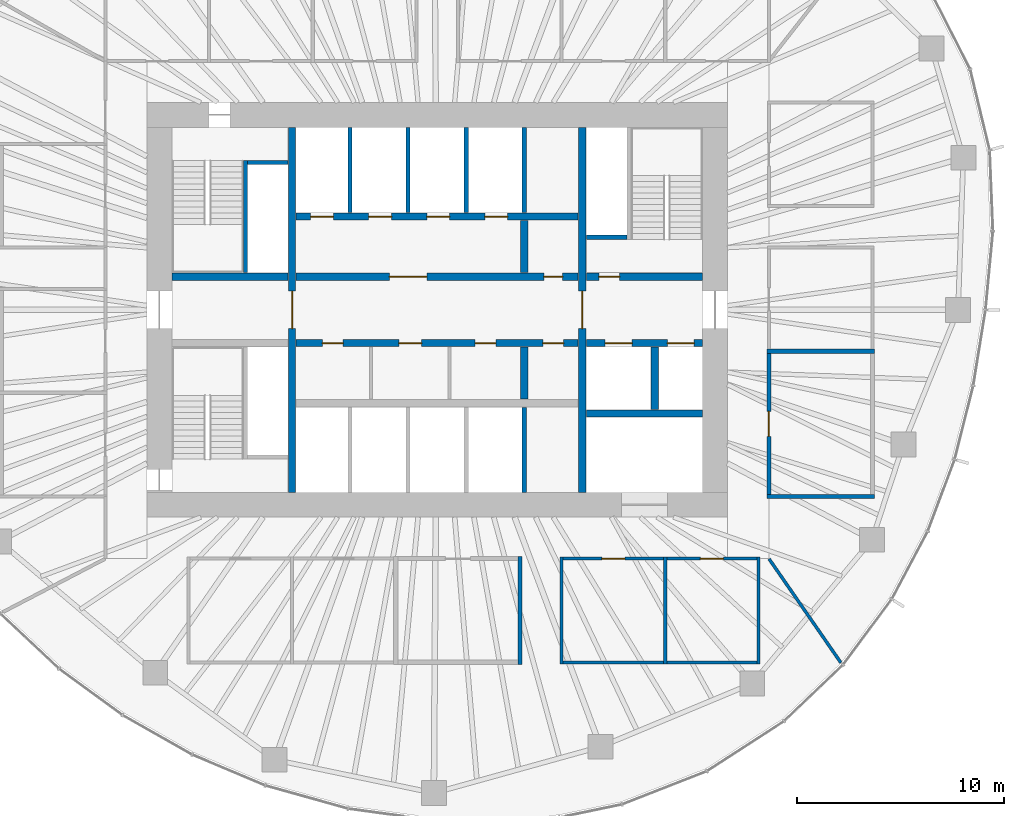
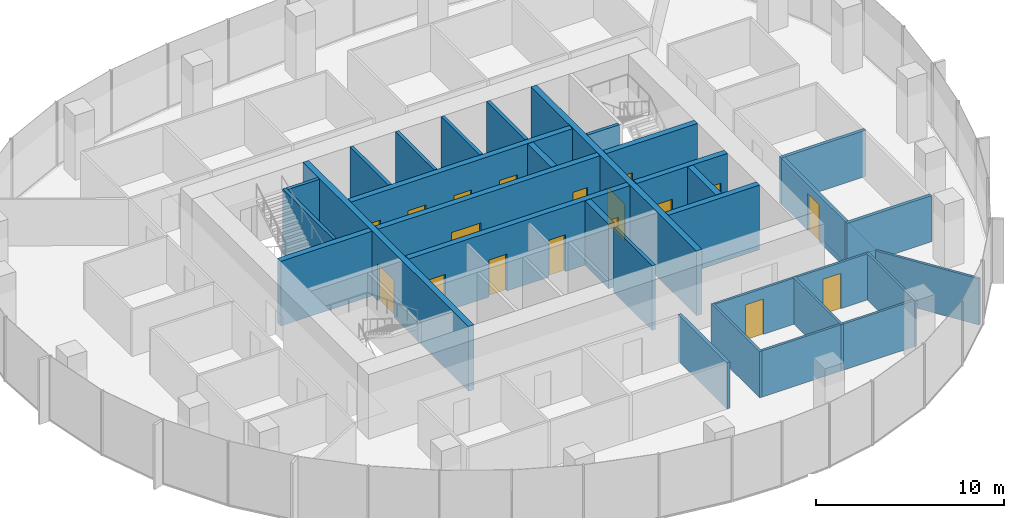
# One storey, part 9 of 12: 32 walls, 18 doors, 18 openings.
"""IFC4 building model written with IfcOpenShell, lengths in metres."""

from ifc_helpers import new_model, si_unit, direction, frame, frame_2d, origin, place, context, subcontext, project, spatial, rectangle, extrude, material, layer, layer_set, type_object, element, fill, save


model = new_model("IFC4")

# Units and contexts
model_context = context("Model", 3, precision=1e-05, world=origin(), true_north=direction((0.0, 1.0)))
body_context = subcontext(model_context, "Body", "Model", "MODEL_VIEW")
ifc_project = project(units=[si_unit("LENGTHUNIT", "METRE"), si_unit("AREAUNIT", "SQUARE_METRE"), si_unit("VOLUMEUNIT", "CUBIC_METRE"), si_unit("PLANEANGLEUNIT", "RADIAN"), si_unit("MASSUNIT", "GRAM", prefix="KILO")], contexts=[model_context])

# Site, building, storey
site_placement = place(None, origin())
site = spatial("IfcSite", under=ifc_project, at=site_placement, CompositionType="ELEMENT")
building_placement = place(site_placement, origin())
building = spatial("IfcBuilding", under=site, at=building_placement, Name="Ghaith Harvest Tower", CompositionType="ELEMENT")
storey_placement = place(building_placement, frame((0.0, 0.0, 249.39990234375)))
storey = spatial("IfcBuildingStorey", under=building, at=storey_placement, Name="L55", CompositionType="ELEMENT", Elevation=249.39990234375)

# Walls
ifc_material_1 = material(Name="Twin-stud gypsum board, acoustic", Category="gypsum")
ifc_layer_1 = layer(ifc_material_1, 0.199951171875)
ifc_layer_set_1 = layer_set([ifc_layer_1], Name="ACOUSTIC PARTITION 200")
wall_type_1 = type_object("IfcWallType", Name="ACOUSTIC PARTITION 200", PredefinedType="PARTITIONING", material=ifc_layer_set_1)
for number, where, z_axis, x_axis, name in (
    (1, (15.89990234375, -9.0, 0.0), (0.0, 0.0, 1.0), (1.0, 0.0, 0.0), "Partition L55 row E3 cross wall 1"),
    (2, (15.89990234375, -2.0, 0.0), (0.0, 0.0, 1.0), (1.0, 0.0, 0.0), "Partition L55 row E3 cross wall 2"),
):
    element("IfcWall", number, at=place(storey_placement, frame(where, z_axis=z_axis, x_axis=x_axis)), inside=storey, type_object=wall_type_1, Name=name, PredefinedType="PARTITIONING", context=body_context, shape_type="SweptSolid", body=[
        extrude(rectangle(XDim=5.2001953125, YDim=0.199951171875, at=frame_2d((2.60009765625, 0.0))), origin(), (0.0, 0.0, 1.0), 3.0),
    ])

# Wall, opening, door
wall_1_placement = place(storey_placement, frame((16.0, -8.89990234375, 0.0), z_axis=(0.0, 0.0, 1.0), x_axis=(0.0, 1.0, 0.0)))
wall_1 = element("IfcWall", 3, at=wall_1_placement, inside=storey, type_object=wall_type_1, Name="Partition L55-07", PredefinedType="PARTITIONING", context=body_context, shape_type="SweptSolid", body=[
    extrude(rectangle(XDim=6.7998046875, YDim=0.199951171875, at=frame_2d((3.39990234375, 0.0))), origin(), (0.0, 0.0, 1.0), 3.0),
])
opening_1_placement = place(wall_1_placement, frame((2.800048828125, 0.0, 0.0)))
opening_1 = element("IfcOpeningElement", 4, at=opening_1_placement, cuts=wall_1, Name="Opening 55-027", PredefinedType="OPENING", context=body_context, shape_type="SweptSolid", body=[
    extrude(rectangle(XDim=1.199951171875, YDim=2.39990234375, at=frame_2d((0.60009765625, 1.199951171875))), frame((0.0, 0.10986328125, 0.0), z_axis=(0.0, -1.0, 0.0), x_axis=(1.0, 0.0, 0.0)), (0.0, 0.0, 1.0), 0.219970703125),
])
ifc_material_2 = material(Name="Timber door", Category="wood")
door_type_1 = type_object("IfcDoorType", Name="D11 GLAZED 1200x2400", OperationType="SINGLE_SWING_LEFT", PredefinedType="DOOR", material=ifc_material_2)
door_1_placement = place(opening_1_placement, origin())
door_1 = element("IfcDoor", 5, at=door_1_placement, inside=storey, type_object=door_type_1, Name="Meeting room door", OperationType="SINGLE_SWING_LEFT", OverallHeight=2.39990234375, OverallWidth=1.199951171875, PredefinedType="DOOR", context=body_context, shape_type="SweptSolid", body=[
    extrude(rectangle(XDim=1.199951171875, YDim=2.39990234375, at=frame_2d((0.60009765625, 1.199951171875))), frame((0.0, 0.02490234375, 0.0), z_axis=(0.0, -1.0, 0.0), x_axis=(1.0, 0.0, 0.0)), (0.0, 0.0, 1.0), 0.050048828125),
])
fill(opening_1, door_1)

# Walls
wall_2_placement = place(storey_placement, frame((4.0, -11.89990234375, 0.0), z_axis=(0.0, 0.0, 1.0), x_axis=(0.0, -1.0, 0.0)))
element("IfcWall", 6, at=wall_2_placement, inside=storey, type_object=wall_type_1, Name="Partition L55 row S4 cross wall 4", PredefinedType="PARTITIONING", context=body_context, shape_type="SweptSolid", body=[
    extrude(rectangle(XDim=5.2001953125, YDim=0.199951171875, at=frame_2d((2.60009765625, 0.0))), origin(), (0.0, 0.0, 1.0), 3.0),
])
ifc_material_3 = material(Name="Concrete blockwork, 2-hour", Category="masonry")
ifc_layer_2 = layer(ifc_material_3, 0.199951171875)
ifc_layer_set_2 = layer_set([ifc_layer_2], Name="LIFT SHAFT WALL 200")
wall_type_2 = type_object("IfcWallType", Name="LIFT SHAFT WALL 200", PredefinedType="PARTITIONING", material=ifc_layer_set_2)
for number, where, z_axis, x_axis, name in (
    (7, (-4.199951171875, 4.699951171875, 0.0), (0.0, 0.0, 1.0), (0.0, 1.0, 0.0), "Lift shaft wall L55"),
    (8, (-1.39990234375, 4.699951171875, 0.0), (0.0, 0.0, 1.0), (0.0, 1.0, 0.0), "Lift shaft wall L55"),
    (9, (1.39990234375, 4.699951171875, 0.0), (0.0, 0.0, 1.0), (0.0, 1.0, 0.0), "Lift shaft wall L55"),
    (10, (4.199951171875, 4.699951171875, 0.0), (0.0, 0.0, 1.0), (0.0, 1.0, 0.0), "Lift shaft wall L55"),
    (11, (4.199951171875, -4.699951171875, 0.0), (0.0, 0.0, 1.0), (0.0, -1.0, 0.0), "Lift shaft wall L55"),
):
    element("IfcWall", number, at=place(storey_placement, frame(where, z_axis=z_axis, x_axis=x_axis)), inside=storey, type_object=wall_type_2, Name=name, PredefinedType="PARTITIONING", context=body_context, shape_type="SweptSolid", body=[
        extrude(rectangle(XDim=4.10009765625, YDim=0.199951171875, at=frame_2d((2.050048828125, 0.0))), origin(), (0.0, 0.0, 1.0), 4.2001953125),
    ])
ifc_material_4 = material(Name="Gypsum board on steel studs", Category="steel")
ifc_layer_3 = layer(ifc_material_4, 0.14990234375)
ifc_layer_set_3 = layer_set([ifc_layer_3], Name="PARTITION 150")
wall_type_3 = type_object("IfcWallType", Name="PARTITION 150", PredefinedType="PARTITIONING", material=ifc_layer_set_3)
for number, where, z_axis, x_axis, name in (
    (12, (6.0, -11.925048828125, 0.0), (0.0, 0.0, 1.0), (0.0, -1.0, 0.0), "Partition L55 row S6 cross wall 1"),
    (13, (11.0, -11.925048828125, 0.0), (0.0, 0.0, 1.0), (0.0, -1.0, 0.0), "Partition L55 row S6 cross wall 2"),
    (14, (15.5, -11.925048828125, 0.0), (0.0, 0.0, 1.0), (0.0, -1.0, 0.0), "Partition L55 row S6 cross wall 3"),
):
    element("IfcWall", number, at=place(storey_placement, frame(where, z_axis=z_axis, x_axis=x_axis)), inside=storey, type_object=wall_type_3, Name=name, PredefinedType="PARTITIONING", context=body_context, shape_type="SweptSolid", body=[
        extrude(rectangle(XDim=5.14990234375, YDim=0.14990234375, at=frame_2d((2.574951171875, 0.0))), origin(), (0.0, 0.0, 1.0), 3.0),
    ])

# Wall, opening, door
wall_3_placement = place(storey_placement, frame((6.074951171875, -12.0, 0.0), z_axis=(0.0, 0.0, 1.0), x_axis=(1.0, 0.0, 0.0)))
wall_3 = element("IfcWall", 15, at=wall_3_placement, inside=storey, type_object=wall_type_3, Name="Partition L55-14", PredefinedType="PARTITIONING", context=body_context, shape_type="SweptSolid", body=[
    extrude(rectangle(XDim=4.85009765625, YDim=0.14990234375, at=frame_2d((2.425048828125, 0.0))), origin(), (0.0, 0.0, 1.0), 3.0),
])
opening_2_placement = place(wall_3_placement, frame((1.875, 0.0, 0.0)))
opening_2 = element("IfcOpeningElement", 16, at=opening_2_placement, cuts=wall_3, Name="Opening 55-034", PredefinedType="OPENING", context=body_context, shape_type="SweptSolid", body=[
    extrude(rectangle(XDim=1.10009765625, YDim=2.300048828125, at=frame_2d((0.550048828125, 1.14990234375))), frame((0.0, 0.0849609375, 0.0), z_axis=(0.0, -1.0, 0.0), x_axis=(1.0, 0.0, 0.0)), (0.0, 0.0, 1.0), 0.169921875),
])
ifc_material_5 = material(Name="Timber-framed glazed door", Category="wood")
door_type_2 = type_object("IfcDoorType", Name="D12 GLAZED OFFICE 1100x2300", OperationType="SINGLE_SWING_LEFT", PredefinedType="DOOR", material=ifc_material_5)
door_2_placement = place(opening_2_placement, origin())
door_2 = element("IfcDoor", 17, at=door_2_placement, inside=storey, type_object=door_type_2, Name="Executive office door", OperationType="SINGLE_SWING_LEFT", OverallHeight=2.300048828125, OverallWidth=1.10009765625, PredefinedType="DOOR", context=body_context, shape_type="SweptSolid", body=[
    extrude(rectangle(XDim=1.10009765625, YDim=2.300048828125, at=frame_2d((0.550048828125, 1.14990234375))), frame((0.0, 0.02490234375, 0.0), z_axis=(0.0, -1.0, 0.0), x_axis=(1.0, 0.0, 0.0)), (0.0, 0.0, 1.0), 0.050048828125),
])
fill(opening_2, door_2)

# Wall
wall_4_placement = place(storey_placement, frame((6.074951171875, -17.0, 0.0), z_axis=(0.0, 0.0, 1.0), x_axis=(1.0, 0.0, 0.0)))
element("IfcWall", 18, at=wall_4_placement, inside=storey, type_object=wall_type_3, Name="Partition L55-14", PredefinedType="PARTITIONING", context=body_context, shape_type="SweptSolid", body=[
    extrude(rectangle(XDim=4.85009765625, YDim=0.14990234375, at=frame_2d((2.425048828125, 0.0))), origin(), (0.0, 0.0, 1.0), 3.0),
])

# Wall, opening, door
wall_5_placement = place(storey_placement, frame((11.074951171875, -12.0, 0.0), z_axis=(0.0, 0.0, 1.0), x_axis=(1.0, 0.0, 0.0)))
wall_5 = element("IfcWall", 19, at=wall_5_placement, inside=storey, type_object=wall_type_3, Name="Partition L55-15", PredefinedType="PARTITIONING", context=body_context, shape_type="SweptSolid", body=[
    extrude(rectangle(XDim=4.35009765625, YDim=0.14990234375, at=frame_2d((2.175048828125, 0.0))), origin(), (0.0, 0.0, 1.0), 3.0),
])
opening_3_placement = place(wall_5_placement, frame((1.625, 0.0, 0.0)))
opening_3 = element("IfcOpeningElement", 20, at=opening_3_placement, cuts=wall_5, Name="Opening 55-035", PredefinedType="OPENING", context=body_context, shape_type="SweptSolid", body=[
    extrude(rectangle(XDim=1.10009765625, YDim=2.300048828125, at=frame_2d((0.550048828125, 1.14990234375))), frame((0.0, 0.0849609375, 0.0), z_axis=(0.0, -1.0, 0.0), x_axis=(1.0, 0.0, 0.0)), (0.0, 0.0, 1.0), 0.169921875),
])
door_3_placement = place(opening_3_placement, origin())
door_3 = element("IfcDoor", 21, at=door_3_placement, inside=storey, type_object=door_type_2, Name="Executive office door", OperationType="SINGLE_SWING_LEFT", OverallHeight=2.300048828125, OverallWidth=1.10009765625, PredefinedType="DOOR", context=body_context, shape_type="SweptSolid", body=[
    extrude(rectangle(XDim=1.10009765625, YDim=2.300048828125, at=frame_2d((0.550048828125, 1.14990234375))), frame((0.0, 0.02490234375, 0.0), z_axis=(0.0, -1.0, 0.0), x_axis=(1.0, 0.0, 0.0)), (0.0, 0.0, 1.0), 0.050048828125),
])
fill(opening_3, door_3)

# Walls
wall_6_placement = place(storey_placement, frame((11.074951171875, -17.0, 0.0), z_axis=(0.0, 0.0, 1.0), x_axis=(1.0, 0.0, 0.0)))
element("IfcWall", 22, at=wall_6_placement, inside=storey, type_object=wall_type_3, Name="Partition L55-15", PredefinedType="PARTITIONING", context=body_context, shape_type="SweptSolid", body=[
    extrude(rectangle(XDim=4.35009765625, YDim=0.14990234375, at=frame_2d((2.175048828125, 0.0))), origin(), (0.0, 0.0, 1.0), 3.0),
])
wall_7_placement = place(storey_placement, frame((16.011474609375, -12.016357421875, 0.0), z_axis=(0.0, 0.0, 1.0), x_axis=(0.568863489071, -0.822431961199, 0.0)))
element("IfcWall", 23, at=wall_7_placement, inside=storey, type_object=wall_type_3, Name="Partition L55 zone division", PredefinedType="PARTITIONING", context=body_context, shape_type="SweptSolid", body=[
    extrude(rectangle(XDim=6.0830078125, YDim=0.14990234375, at=frame_2d((3.04150390625, 0.0))), origin(), (0.0, 0.0, 1.0), 3.0),
])

# Wall, opening, door
ifc_material_6 = material(Name="Concrete C60/75", Category="concrete")
ifc_layer_4 = layer(ifc_material_6, 0.35009765625)
ifc_layer_set_4 = layer_set([ifc_layer_4], Name="SHAFT WALL 350")
wall_type_4 = type_object("IfcWallType", Name="SHAFT WALL 350", PredefinedType="SHEAR", material=ifc_layer_set_4)
wall_8_placement = place(storey_placement, frame((-7.0, -8.800048828125, 0.0), z_axis=(0.0, 0.0, 1.0), x_axis=(0.0, 1.0, 0.0)))
wall_8 = element("IfcWall", 24, at=wall_8_placement, inside=storey, type_object=wall_type_4, Name="Shaft wall W7W L55", PredefinedType="SHEAR", context=body_context, shape_type="SweptSolid", body=[
    extrude(rectangle(XDim=17.60009765625, YDim=0.35009765625, at=frame_2d((8.800048828125, 0.0))), origin(), (0.0, 0.0, 1.0), 4.2001953125),
])
opening_4_placement = place(wall_8_placement, frame((7.89990234375, 0.0, 0.0)))
opening_4 = element("IfcOpeningElement", 25, at=opening_4_placement, cuts=wall_8, Name="Opening 55-003", PredefinedType="OPENING", context=body_context, shape_type="SweptSolid", body=[
    extrude(rectangle(XDim=1.800048828125, YDim=2.39990234375, at=frame_2d((0.89990234375, 1.199951171875))), frame((0.0, 0.18505859375, 0.0), z_axis=(0.0, -1.0, 0.0), x_axis=(1.0, 0.0, 0.0)), (0.0, 0.0, 1.0), 0.3701171875),
])
ifc_material_7 = material(Name="Steel fire door", Category="steel")
door_type_3 = type_object("IfcDoorType", Name="D4 FD90 PAIR 1800x2400", OperationType="DOUBLE_DOOR_SINGLE_SWING", PredefinedType="DOOR", material=ifc_material_7)
door_4_placement = place(opening_4_placement, origin())
door_4 = element("IfcDoor", 26, at=door_4_placement, inside=storey, type_object=door_type_3, Name="Lift lobby doors, west", OperationType="DOUBLE_DOOR_SINGLE_SWING", OverallHeight=2.39990234375, OverallWidth=1.800048828125, PredefinedType="DOOR", context=body_context, shape_type="SweptSolid", body=[
    extrude(rectangle(XDim=1.800048828125, YDim=2.39990234375, at=frame_2d((0.89990234375, 1.199951171875))), frame((0.0, 0.02490234375, 0.0), z_axis=(0.0, -1.0, 0.0), x_axis=(1.0, 0.0, 0.0)), (0.0, 0.0, 1.0), 0.050048828125),
])
fill(opening_4, door_4)

wall_9_placement = place(storey_placement, frame((7.0, -8.800048828125, 0.0), z_axis=(0.0, 0.0, 1.0), x_axis=(0.0, 1.0, 0.0)))
wall_9 = element("IfcWall", 27, at=wall_9_placement, inside=storey, type_object=wall_type_4, Name="Shaft wall W7E L55", PredefinedType="SHEAR", context=body_context, shape_type="SweptSolid", body=[
    extrude(rectangle(XDim=17.60009765625, YDim=0.35009765625, at=frame_2d((8.800048828125, 0.0))), origin(), (0.0, 0.0, 1.0), 4.2001953125),
])
opening_5_placement = place(wall_9_placement, frame((7.89990234375, 0.0, 0.0)))
opening_5 = element("IfcOpeningElement", 28, at=opening_5_placement, cuts=wall_9, Name="Opening 55-004", PredefinedType="OPENING", context=body_context, shape_type="SweptSolid", body=[
    extrude(rectangle(XDim=1.800048828125, YDim=2.39990234375, at=frame_2d((0.89990234375, 1.199951171875))), frame((0.0, 0.18505859375, 0.0), z_axis=(0.0, -1.0, 0.0), x_axis=(1.0, 0.0, 0.0)), (0.0, 0.0, 1.0), 0.3701171875),
])
door_5_placement = place(opening_5_placement, origin())
door_5 = element("IfcDoor", 29, at=door_5_placement, inside=storey, type_object=door_type_3, Name="Lift lobby doors, east", OperationType="DOUBLE_DOOR_SINGLE_SWING", OverallHeight=2.39990234375, OverallWidth=1.800048828125, PredefinedType="DOOR", context=body_context, shape_type="SweptSolid", body=[
    extrude(rectangle(XDim=1.800048828125, YDim=2.39990234375, at=frame_2d((0.89990234375, 1.199951171875))), frame((0.0, 0.02490234375, 0.0), z_axis=(0.0, -1.0, 0.0), x_axis=(1.0, 0.0, 0.0)), (0.0, 0.0, 1.0), 0.050048828125),
])
fill(opening_5, door_5)

# Wall, openings, doors
wall_10_placement = place(storey_placement, frame((-6.800048828125, 1.60009765625, 0.0), z_axis=(0.0, 0.0, 1.0), x_axis=(1.0, 0.0, 0.0)))
wall_10 = element("IfcWall", 30, at=wall_10_placement, inside=storey, type_object=wall_type_4, Name="Shaft wall LN L55", PredefinedType="SHEAR", context=body_context, shape_type="SweptSolid", body=[
    extrude(rectangle(XDim=13.60009765625, YDim=0.35009765625, at=frame_2d((6.800048828125, 0.0))), origin(), (0.0, 0.0, 1.0), 4.2001953125),
])
opening_6_placement = place(wall_10_placement, frame((11.949951171875, 0.0, 0.0)))
opening_6 = element("IfcOpeningElement", 31, at=opening_6_placement, cuts=wall_10, Name="Opening 55-011", PredefinedType="OPENING", context=body_context, shape_type="SweptSolid", body=[
    extrude(rectangle(XDim=0.89990234375, YDim=2.39990234375, at=frame_2d((0.449951171875, 1.199951171875))), frame((0.0, 0.18505859375, 0.0), z_axis=(0.0, -1.0, 0.0), x_axis=(1.0, 0.0, 0.0)), (0.0, 0.0, 1.0), 0.3701171875),
])
opening_7_placement = place(wall_10_placement, frame((4.5, 0.0, 0.0)))
opening_7 = element("IfcOpeningElement", 32, at=opening_7_placement, cuts=wall_10, Name="Opening 55-013", PredefinedType="OPENING", context=body_context, shape_type="SweptSolid", body=[
    extrude(rectangle(XDim=1.800048828125, YDim=2.39990234375, at=frame_2d((0.89990234375, 1.199951171875))), frame((0.0, 0.18505859375, 0.0), z_axis=(0.0, -1.0, 0.0), x_axis=(1.0, 0.0, 0.0)), (0.0, 0.0, 1.0), 0.3701171875),
])
door_6_placement = place(opening_7_placement, origin())
door_6 = element("IfcDoor", 33, at=door_6_placement, inside=storey, type_object=door_type_3, Name="Lift lobby doors, high-rise bank", OperationType="DOUBLE_DOOR_SINGLE_SWING", OverallHeight=2.39990234375, OverallWidth=1.800048828125, PredefinedType="DOOR", context=body_context, shape_type="SweptSolid", body=[
    extrude(rectangle(XDim=1.800048828125, YDim=2.39990234375, at=frame_2d((0.89990234375, 1.199951171875))), frame((0.0, 0.02490234375, 0.0), z_axis=(0.0, -1.0, 0.0), x_axis=(1.0, 0.0, 0.0)), (0.0, 0.0, 1.0), 0.050048828125),
])
fill(opening_7, door_6)
ifc_material_8 = material(Name="Steel fire door", Category="steel")
door_type_4 = type_object("IfcDoorType", Name="D5 FD90 900x2400", OperationType="SINGLE_SWING_LEFT", PredefinedType="DOOR", material=ifc_material_8)
door_7_placement = place(opening_6_placement, origin())
door_7 = element("IfcDoor", 34, at=door_7_placement, inside=storey, type_object=door_type_4, Name="Cleaner's store door", OperationType="SINGLE_SWING_RIGHT", OverallHeight=2.39990234375, OverallWidth=0.89990234375, PredefinedType="DOOR", context=body_context, shape_type="SweptSolid", body=[
    extrude(rectangle(XDim=0.89990234375, YDim=2.39990234375, at=frame_2d((0.449951171875, 1.199951171875))), frame((0.0, 0.02490234375, 0.0), z_axis=(0.0, -1.0, 0.0), x_axis=(1.0, 0.0, 0.0)), (0.0, 0.0, 1.0), 0.050048828125),
])
fill(opening_6, door_7)

wall_11_placement = place(storey_placement, frame((-6.800048828125, -1.60009765625, 0.0), z_axis=(0.0, 0.0, 1.0), x_axis=(1.0, 0.0, 0.0)))
wall_11 = element("IfcWall", 35, at=wall_11_placement, inside=storey, type_object=wall_type_4, Name="Shaft wall LS L55", PredefinedType="SHEAR", context=body_context, shape_type="SweptSolid", body=[
    extrude(rectangle(XDim=13.60009765625, YDim=0.35009765625, at=frame_2d((6.800048828125, 0.0))), origin(), (0.0, 0.0, 1.0), 4.2001953125),
])
opening_8_placement = place(wall_11_placement, frame((1.264892578125, 0.0, 0.0)))
opening_8 = element("IfcOpeningElement", 36, at=opening_8_placement, cuts=wall_11, Name="Opening 55-008", PredefinedType="OPENING", context=body_context, shape_type="SweptSolid", body=[
    extrude(rectangle(XDim=1.0, YDim=2.39990234375, at=frame_2d((0.5, 1.199951171875))), frame((0.0, 0.18505859375, 0.0), z_axis=(0.0, -1.0, 0.0), x_axis=(1.0, 0.0, 0.0)), (0.0, 0.0, 1.0), 0.3701171875),
])
opening_9_placement = place(wall_11_placement, frame((4.949951171875, 0.0, 0.0)))
opening_9 = element("IfcOpeningElement", 37, at=opening_9_placement, cuts=wall_11, Name="Opening 55-009", PredefinedType="OPENING", context=body_context, shape_type="SweptSolid", body=[
    extrude(rectangle(XDim=1.10009765625, YDim=2.39990234375, at=frame_2d((0.550048828125, 1.199951171875))), frame((0.0, 0.18505859375, 0.0), z_axis=(0.0, -1.0, 0.0), x_axis=(1.0, 0.0, 0.0)), (0.0, 0.0, 1.0), 0.3701171875),
])
opening_10_placement = place(wall_11_placement, frame((8.635009765625, 0.0, 0.0)))
opening_10 = element("IfcOpeningElement", 38, at=opening_10_placement, cuts=wall_11, Name="Opening 55-010", PredefinedType="OPENING", context=body_context, shape_type="SweptSolid", body=[
    extrude(rectangle(XDim=1.0, YDim=2.39990234375, at=frame_2d((0.5, 1.199951171875))), frame((0.0, 0.18505859375, 0.0), z_axis=(0.0, -1.0, 0.0), x_axis=(1.0, 0.0, 0.0)), (0.0, 0.0, 1.0), 0.3701171875),
])
opening_11_placement = place(wall_11_placement, frame((11.89990234375, 0.0, 0.0)))
opening_11 = element("IfcOpeningElement", 39, at=opening_11_placement, cuts=wall_11, Name="Opening 55-012", PredefinedType="OPENING", context=body_context, shape_type="SweptSolid", body=[
    extrude(rectangle(XDim=1.0, YDim=2.39990234375, at=frame_2d((0.5, 1.199951171875))), frame((0.0, 0.18505859375, 0.0), z_axis=(0.0, -1.0, 0.0), x_axis=(1.0, 0.0, 0.0)), (0.0, 0.0, 1.0), 0.3701171875),
])
ifc_material_9 = material(Name="Steel fire door", Category="steel")
door_type_5 = type_object("IfcDoorType", Name="D3 FD90 1000x2400", OperationType="SINGLE_SWING_LEFT", PredefinedType="DOOR", material=ifc_material_9)
door_8_placement = place(opening_8_placement, origin())
door_8 = element("IfcDoor", 40, at=door_8_placement, inside=storey, type_object=door_type_5, Name="Male WC door", OperationType="SINGLE_SWING_LEFT", OverallHeight=2.39990234375, OverallWidth=1.0, PredefinedType="DOOR", context=body_context, shape_type="SweptSolid", body=[
    extrude(rectangle(XDim=1.0, YDim=2.39990234375, at=frame_2d((0.5, 1.199951171875))), frame((0.0, 0.02490234375, 0.0), z_axis=(0.0, -1.0, 0.0), x_axis=(1.0, 0.0, 0.0)), (0.0, 0.0, 1.0), 0.050048828125),
])
fill(opening_8, door_8)
door_9_placement = place(opening_10_placement, origin())
door_9 = element("IfcDoor", 41, at=door_9_placement, inside=storey, type_object=door_type_5, Name="Female WC door", OperationType="SINGLE_SWING_RIGHT", OverallHeight=2.39990234375, OverallWidth=1.0, PredefinedType="DOOR", context=body_context, shape_type="SweptSolid", body=[
    extrude(rectangle(XDim=1.0, YDim=2.39990234375, at=frame_2d((0.5, 1.199951171875))), frame((0.0, 0.02490234375, 0.0), z_axis=(0.0, -1.0, 0.0), x_axis=(1.0, 0.0, 0.0)), (0.0, 0.0, 1.0), 0.050048828125),
])
fill(opening_10, door_9)
door_10_placement = place(opening_11_placement, origin())
door_10 = element("IfcDoor", 42, at=door_10_placement, inside=storey, type_object=door_type_5, Name="Electrical room door", OperationType="SINGLE_SWING_RIGHT", OverallHeight=2.39990234375, OverallWidth=1.0, PredefinedType="DOOR", context=body_context, shape_type="SweptSolid", body=[
    extrude(rectangle(XDim=1.0, YDim=2.39990234375, at=frame_2d((0.5, 1.199951171875))), frame((0.0, 0.02490234375, 0.0), z_axis=(0.0, -1.0, 0.0), x_axis=(1.0, 0.0, 0.0)), (0.0, 0.0, 1.0), 0.050048828125),
])
fill(opening_11, door_10)
ifc_material_10 = material(Name="Steel fire door", Category="steel")
door_type_6 = type_object("IfcDoorType", Name="D9 FD90 1100x2400", OperationType="SINGLE_SWING_LEFT", PredefinedType="DOOR", material=ifc_material_10)
door_11_placement = place(opening_9_placement, origin())
door_11 = element("IfcDoor", 43, at=door_11_placement, inside=storey, type_object=door_type_6, Name="Accessible WC door", OperationType="SINGLE_SWING_LEFT", OverallHeight=2.39990234375, OverallWidth=1.10009765625, PredefinedType="DOOR", context=body_context, shape_type="SweptSolid", body=[
    extrude(rectangle(XDim=1.10009765625, YDim=2.39990234375, at=frame_2d((0.550048828125, 1.199951171875))), frame((0.0, 0.02490234375, 0.0), z_axis=(0.0, -1.0, 0.0), x_axis=(1.0, 0.0, 0.0)), (0.0, 0.0, 1.0), 0.050048828125),
])
fill(opening_9, door_11)

wall_12_placement = place(storey_placement, frame((-6.800048828125, 4.5, 0.0), z_axis=(0.0, 0.0, 1.0), x_axis=(1.0, 0.0, 0.0)))
wall_12 = element("IfcWall", 44, at=wall_12_placement, inside=storey, type_object=wall_type_4, Name="Shaft wall BN L55", PredefinedType="SHEAR", context=body_context, shape_type="SweptSolid", body=[
    extrude(rectangle(XDim=13.60009765625, YDim=0.35009765625, at=frame_2d((6.800048828125, 0.0))), origin(), (0.0, 0.0, 1.0), 4.2001953125),
])
opening_12_placement = place(wall_12_placement, frame((0.699951171875, 0.0, 0.0)))
opening_12 = element("IfcOpeningElement", 45, at=opening_12_placement, cuts=wall_12, Name="Opening 55-014", PredefinedType="OPENING", context=body_context, shape_type="SweptSolid", body=[
    extrude(rectangle(XDim=1.10009765625, YDim=2.39990234375, at=frame_2d((0.550048828125, 1.199951171875))), frame((0.0, 0.18505859375, 0.0), z_axis=(0.0, -1.0, 0.0), x_axis=(1.0, 0.0, 0.0)), (0.0, 0.0, 1.0), 0.3701171875),
])
opening_13_placement = place(wall_12_placement, frame((3.5, 0.0, 0.0)))
opening_13 = element("IfcOpeningElement", 46, at=opening_13_placement, cuts=wall_12, Name="Opening 55-015", PredefinedType="OPENING", context=body_context, shape_type="SweptSolid", body=[
    extrude(rectangle(XDim=1.10009765625, YDim=2.39990234375, at=frame_2d((0.550048828125, 1.199951171875))), frame((0.0, 0.18505859375, 0.0), z_axis=(0.0, -1.0, 0.0), x_axis=(1.0, 0.0, 0.0)), (0.0, 0.0, 1.0), 0.3701171875),
])
opening_14_placement = place(wall_12_placement, frame((6.300048828125, 0.0, 0.0)))
opening_14 = element("IfcOpeningElement", 47, at=opening_14_placement, cuts=wall_12, Name="Opening 55-016", PredefinedType="OPENING", context=body_context, shape_type="SweptSolid", body=[
    extrude(rectangle(XDim=1.10009765625, YDim=2.39990234375, at=frame_2d((0.550048828125, 1.199951171875))), frame((0.0, 0.18505859375, 0.0), z_axis=(0.0, -1.0, 0.0), x_axis=(1.0, 0.0, 0.0)), (0.0, 0.0, 1.0), 0.3701171875),
])
opening_15_placement = place(wall_12_placement, frame((9.10009765625, 0.0, 0.0)))
opening_15 = element("IfcOpeningElement", 48, at=opening_15_placement, cuts=wall_12, Name="Opening 55-017", PredefinedType="OPENING", context=body_context, shape_type="SweptSolid", body=[
    extrude(rectangle(XDim=1.10009765625, YDim=2.39990234375, at=frame_2d((0.550048828125, 1.199951171875))), frame((0.0, 0.18505859375, 0.0), z_axis=(0.0, -1.0, 0.0), x_axis=(1.0, 0.0, 0.0)), (0.0, 0.0, 1.0), 0.3701171875),
])
ifc_material_11 = material(Name="Steel fire door", Category="steel")
door_type_7 = type_object("IfcDoorType", Name="LD1 LANDING 1100x2400", OperationType="DOUBLE_DOOR_SLIDING", PredefinedType="DOOR", material=ifc_material_11)
door_12_placement = place(opening_12_placement, origin())
door_12 = element("IfcDoor", 49, at=door_12_placement, inside=storey, type_object=door_type_7, Name="Landing door, lift HR1", OperationType="DOUBLE_DOOR_SLIDING", OverallHeight=2.39990234375, OverallWidth=1.10009765625, PredefinedType="DOOR", context=body_context, shape_type="SweptSolid", body=[
    extrude(rectangle(XDim=1.10009765625, YDim=2.39990234375, at=frame_2d((0.550048828125, 1.199951171875))), frame((0.0, 0.02490234375, 0.0), z_axis=(0.0, -1.0, 0.0), x_axis=(1.0, 0.0, 0.0)), (0.0, 0.0, 1.0), 0.050048828125),
])
fill(opening_12, door_12)
door_13_placement = place(opening_13_placement, origin())
door_13 = element("IfcDoor", 50, at=door_13_placement, inside=storey, type_object=door_type_7, Name="Landing door, lift HR2", OperationType="DOUBLE_DOOR_SLIDING", OverallHeight=2.39990234375, OverallWidth=1.10009765625, PredefinedType="DOOR", context=body_context, shape_type="SweptSolid", body=[
    extrude(rectangle(XDim=1.10009765625, YDim=2.39990234375, at=frame_2d((0.550048828125, 1.199951171875))), frame((0.0, 0.02490234375, 0.0), z_axis=(0.0, -1.0, 0.0), x_axis=(1.0, 0.0, 0.0)), (0.0, 0.0, 1.0), 0.050048828125),
])
fill(opening_13, door_13)
door_14_placement = place(opening_14_placement, origin())
door_14 = element("IfcDoor", 51, at=door_14_placement, inside=storey, type_object=door_type_7, Name="Landing door, lift HR3", OperationType="DOUBLE_DOOR_SLIDING", OverallHeight=2.39990234375, OverallWidth=1.10009765625, PredefinedType="DOOR", context=body_context, shape_type="SweptSolid", body=[
    extrude(rectangle(XDim=1.10009765625, YDim=2.39990234375, at=frame_2d((0.550048828125, 1.199951171875))), frame((0.0, 0.02490234375, 0.0), z_axis=(0.0, -1.0, 0.0), x_axis=(1.0, 0.0, 0.0)), (0.0, 0.0, 1.0), 0.050048828125),
])
fill(opening_14, door_14)
door_15_placement = place(opening_15_placement, origin())
door_15 = element("IfcDoor", 52, at=door_15_placement, inside=storey, type_object=door_type_7, Name="Landing door, lift HR4", OperationType="DOUBLE_DOOR_SLIDING", OverallHeight=2.39990234375, OverallWidth=1.10009765625, PredefinedType="DOOR", context=body_context, shape_type="SweptSolid", body=[
    extrude(rectangle(XDim=1.10009765625, YDim=2.39990234375, at=frame_2d((0.550048828125, 1.199951171875))), frame((0.0, 0.02490234375, 0.0), z_axis=(0.0, -1.0, 0.0), x_axis=(1.0, 0.0, 0.0)), (0.0, 0.0, 1.0), 0.050048828125),
])
fill(opening_15, door_15)

# Wall
wall_13_placement = place(storey_placement, frame((-12.800048828125, 1.60009765625, 0.0), z_axis=(0.0, 0.0, 1.0), x_axis=(1.0, 0.0, 0.0)))
element("IfcWall", 53, at=wall_13_placement, inside=storey, type_object=wall_type_4, Name="Shaft wall WN L55", PredefinedType="SHEAR", context=body_context, shape_type="SweptSolid", body=[
    extrude(rectangle(XDim=5.60009765625, YDim=0.35009765625, at=frame_2d((2.800048828125, 0.0))), origin(), (0.0, 0.0, 1.0), 4.2001953125),
])

# Wall, opening, door
wall_14_placement = place(storey_placement, frame((7.199951171875, 1.60009765625, 0.0), z_axis=(0.0, 0.0, 1.0), x_axis=(1.0, 0.0, 0.0)))
wall_14 = element("IfcWall", 54, at=wall_14_placement, inside=storey, type_object=wall_type_4, Name="Shaft wall EN L55", PredefinedType="SHEAR", context=body_context, shape_type="SweptSolid", body=[
    extrude(rectangle(XDim=5.60009765625, YDim=0.35009765625, at=frame_2d((2.800048828125, 0.0))), origin(), (0.0, 0.0, 1.0), 4.2001953125),
])
opening_16_placement = place(wall_14_placement, frame((0.60009765625, 0.0, 0.0)))
opening_16 = element("IfcOpeningElement", 55, at=opening_16_placement, cuts=wall_14, Name="Opening 55-007", PredefinedType="OPENING", context=body_context, shape_type="SweptSolid", body=[
    extrude(rectangle(XDim=1.0, YDim=2.39990234375, at=frame_2d((0.5, 1.199951171875))), frame((0.0, 0.18505859375, 0.0), z_axis=(0.0, -1.0, 0.0), x_axis=(1.0, 0.0, 0.0)), (0.0, 0.0, 1.0), 0.3701171875),
])
door_16_placement = place(opening_16_placement, origin())
door_16 = element("IfcDoor", 56, at=door_16_placement, inside=storey, type_object=door_type_5, Name="Stair ST2 door", OperationType="SINGLE_SWING_LEFT", OverallHeight=2.39990234375, OverallWidth=1.0, PredefinedType="DOOR", context=body_context, shape_type="SweptSolid", body=[
    extrude(rectangle(XDim=1.0, YDim=2.39990234375, at=frame_2d((0.5, 1.199951171875))), frame((0.0, 0.02490234375, 0.0), z_axis=(0.0, -1.0, 0.0), x_axis=(1.0, 0.0, 0.0)), (0.0, 0.0, 1.0), 0.050048828125),
])
fill(opening_16, door_16)

# Wall, openings, doors
wall_15_placement = place(storey_placement, frame((7.199951171875, -1.60009765625, 0.0), z_axis=(0.0, 0.0, 1.0), x_axis=(1.0, 0.0, 0.0)))
wall_15 = element("IfcWall", 57, at=wall_15_placement, inside=storey, type_object=wall_type_4, Name="Shaft wall ES L55", PredefinedType="SHEAR", context=body_context, shape_type="SweptSolid", body=[
    extrude(rectangle(XDim=5.60009765625, YDim=0.35009765625, at=frame_2d((2.800048828125, 0.0))), origin(), (0.0, 0.0, 1.0), 4.2001953125),
])
opening_17_placement = place(wall_15_placement, frame((0.89990234375, 0.0, 0.0)))
opening_17 = element("IfcOpeningElement", 58, at=opening_17_placement, cuts=wall_15, Name="Opening 55-018", PredefinedType="OPENING", context=body_context, shape_type="SweptSolid", body=[
    extrude(rectangle(XDim=1.300048828125, YDim=2.39990234375, at=frame_2d((0.64990234375, 1.199951171875))), frame((0.0, 0.18505859375, 0.0), z_axis=(0.0, -1.0, 0.0), x_axis=(1.0, 0.0, 0.0)), (0.0, 0.0, 1.0), 0.3701171875),
])
opening_18_placement = place(wall_15_placement, frame((3.89990234375, 0.0, 0.0)))
opening_18 = element("IfcOpeningElement", 59, at=opening_18_placement, cuts=wall_15, Name="Opening 55-019", PredefinedType="OPENING", context=body_context, shape_type="SweptSolid", body=[
    extrude(rectangle(XDim=1.300048828125, YDim=2.39990234375, at=frame_2d((0.64990234375, 1.199951171875))), frame((0.0, 0.18505859375, 0.0), z_axis=(0.0, -1.0, 0.0), x_axis=(1.0, 0.0, 0.0)), (0.0, 0.0, 1.0), 0.3701171875),
])
ifc_material_12 = material(Name="Steel fire door", Category="steel")
door_type_8 = type_object("IfcDoorType", Name="LD2 LANDING 1300x2400", OperationType="DOUBLE_DOOR_SLIDING", PredefinedType="DOOR", material=ifc_material_12)
door_17_placement = place(opening_17_placement, origin())
door_17 = element("IfcDoor", 60, at=door_17_placement, inside=storey, type_object=door_type_8, Name="Landing door, fire service lift FL1", OperationType="DOUBLE_DOOR_SLIDING", OverallHeight=2.39990234375, OverallWidth=1.300048828125, PredefinedType="DOOR", context=body_context, shape_type="SweptSolid", body=[
    extrude(rectangle(XDim=1.300048828125, YDim=2.39990234375, at=frame_2d((0.64990234375, 1.199951171875))), frame((0.0, 0.02490234375, 0.0), z_axis=(0.0, -1.0, 0.0), x_axis=(1.0, 0.0, 0.0)), (0.0, 0.0, 1.0), 0.050048828125),
])
fill(opening_17, door_17)
door_18_placement = place(opening_18_placement, origin())
door_18 = element("IfcDoor", 61, at=door_18_placement, inside=storey, type_object=door_type_8, Name="Landing door, fire service lift FL2", OperationType="DOUBLE_DOOR_SLIDING", OverallHeight=2.39990234375, OverallWidth=1.300048828125, PredefinedType="DOOR", context=body_context, shape_type="SweptSolid", body=[
    extrude(rectangle(XDim=1.300048828125, YDim=2.39990234375, at=frame_2d((0.64990234375, 1.199951171875))), frame((0.0, 0.02490234375, 0.0), z_axis=(0.0, -1.0, 0.0), x_axis=(1.0, 0.0, 0.0)), (0.0, 0.0, 1.0), 0.050048828125),
])
fill(opening_18, door_18)

# Walls
wall_16_placement = place(storey_placement, frame((10.5, -4.800048828125, 0.0), z_axis=(0.0, 0.0, 1.0), x_axis=(0.0, 1.0, 0.0)))
element("IfcWall", 62, at=wall_16_placement, inside=storey, type_object=wall_type_4, Name="Shaft wall FLD L55", PredefinedType="SHEAR", context=body_context, shape_type="SweptSolid", body=[
    extrude(rectangle(XDim=3.0, YDim=0.35009765625, at=frame_2d((1.5, 0.0))), origin(), (0.0, 0.0, 1.0), 4.2001953125),
])
wall_17_placement = place(storey_placement, frame((7.199951171875, -5.0, 0.0), z_axis=(0.0, 0.0, 1.0), x_axis=(1.0, 0.0, 0.0)))
element("IfcWall", 63, at=wall_17_placement, inside=storey, type_object=wall_type_4, Name="Shaft wall FLB L55", PredefinedType="SHEAR", context=body_context, shape_type="SweptSolid", body=[
    extrude(rectangle(XDim=5.60009765625, YDim=0.35009765625, at=frame_2d((2.800048828125, 0.0))), origin(), (0.0, 0.0, 1.0), 4.2001953125),
])
for number, where, z_axis, x_axis, name in (
    (64, (4.199951171875, 1.800048828125, 0.0), (0.0, 0.0, 1.0), (0.0, 1.0, 0.0), "Shaft wall DN4 L55"),
    (65, (4.199951171875, -4.300048828125, 0.0), (0.0, 0.0, 1.0), (0.0, 1.0, 0.0), "Shaft wall DS4 L55"),
):
    element("IfcWall", number, at=place(storey_placement, frame(where, z_axis=z_axis, x_axis=x_axis)), inside=storey, type_object=wall_type_4, Name=name, PredefinedType="SHEAR", context=body_context, shape_type="SweptSolid", body=[
        extrude(rectangle(XDim=2.5, YDim=0.35009765625, at=frame_2d((1.25, 0.0))), origin(), (0.0, 0.0, 1.0), 4.2001953125),
    ])
ifc_material_13 = material(Name="Concrete C40/50", Category="concrete")
ifc_layer_5 = layer(ifc_material_13, 0.199951171875)
ifc_layer_set_5 = layer_set([ifc_layer_5], Name="STAIR SPINE WALL RC200")
wall_type_5 = type_object("IfcWallType", Name="STAIR SPINE WALL RC200", PredefinedType="SOLIDWALL", material=ifc_layer_set_5)
wall_18_placement = place(storey_placement, frame((-9.25, 7.199951171875, 0.0), z_axis=(0.0, 0.0, 1.0), x_axis=(0.0, -1.0, 0.0)))
element("IfcWall", 66, at=wall_18_placement, inside=storey, type_object=wall_type_5, Name="Stair ST1 spine wall L55", PredefinedType="SOLIDWALL", context=body_context, shape_type="SweptSolid", body=[
    extrude(rectangle(XDim=5.39990234375, YDim=0.199951171875, at=frame_2d((2.699951171875, 0.0))), origin(), (0.0, 0.0, 1.0), 4.2001953125),
])
for number, where, z_axis, x_axis, name in (
    (67, (-9.14990234375, 7.10009765625, 0.0), (0.0, 0.0, 1.0), (1.0, 0.0, 0.0), "Stair ST1 spine wall return L55"),
    (68, (9.14990234375, 3.5, 0.0), (0.0, 0.0, 1.0), (-1.0, 0.0, 0.0), "Stair ST2 spine wall return L55"),
):
    element("IfcWall", number, at=place(storey_placement, frame(where, z_axis=z_axis, x_axis=x_axis)), inside=storey, type_object=wall_type_5, Name=name, PredefinedType="SOLIDWALL", context=body_context, shape_type="SweptSolid", body=[
        extrude(rectangle(XDim=1.949951171875, YDim=0.199951171875, at=frame_2d((0.97509765625, 0.0))), origin(), (0.0, 0.0, 1.0), 4.2001953125),
    ])

save(model, "model.ifc")
